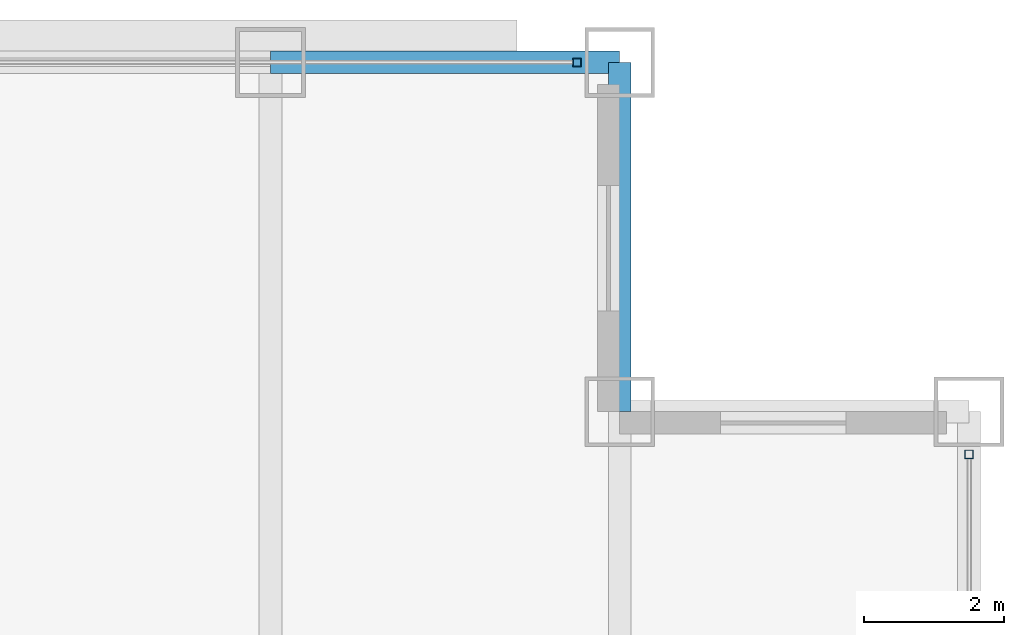
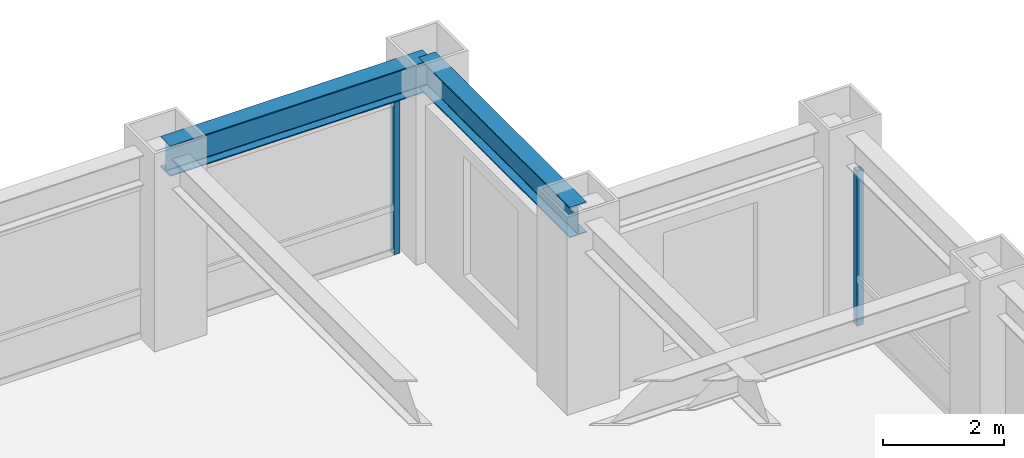
# One storey, part 18 of 29: 2 beams, 2 members, 2 elements without a shape of their own.
"""IFC4 building model written with IfcOpenShell, lengths in metres."""

from ifc_helpers import new_model, si_unit, direction, frame, origin, origin_2d, place, context, subcontext, project, spatial, hollow_rectangle, i_section, extrude, source, transform, mapped, material, material_profile, profile_set, type_object, element, aggregate, save


model = new_model("IFC4")

# Units and contexts
model_context = context("Model", 3, precision=1e-05, world=origin(), true_north=direction((0.0, 1.0)))
body_context = subcontext(model_context, "Body", "Model", "MODEL_VIEW")
ifc_project = project(units=[si_unit("LENGTHUNIT", "METRE"), si_unit("AREAUNIT", "SQUARE_METRE"), si_unit("VOLUMEUNIT", "CUBIC_METRE"), si_unit("PLANEANGLEUNIT", "RADIAN"), si_unit("MASSUNIT", "GRAM", prefix="KILO")], contexts=[model_context])

# Site, building, storey
site_placement = place(None, origin())
site = spatial("IfcSite", under=ifc_project, at=site_placement, CompositionType="ELEMENT")
building_placement = place(site_placement, origin())
building = spatial("IfcBuilding", under=site, at=building_placement, Name="Khorayat Bourse Tower", CompositionType="ELEMENT")
storey_placement = place(building_placement, frame((0.0, 0.0, 243.10009765625)))
storey = spatial("IfcBuildingStorey", under=building, at=storey_placement, Name="L57", CompositionType="ELEMENT", Elevation=243.10009765625)

# Beams
ifc_material_1 = material(Name="Steel ASTM A992 Grade 50", Category="steel")
ifc_material_profile_1 = material_profile(ifc_material_1, i_section(OverallWidth=0.324951171875, OverallDepth=0.615966796875, WebThickness=0.013916015625, FlangeThickness=0.021484375, FilletRadius=0.01611328125, at=origin_2d()), Name="W610X174")
ifc_profile_set_1 = profile_set([ifc_material_profile_1], Name="Steel ASTM A992 Grade 50")
beam_type = type_object("IfcBeamType", Name="BM-SPAN-610", PredefinedType="SPANDREL", material=ifc_profile_set_1)
shared_shape_1 = source(origin(), body_context, "Body", "SweptSolid", [
    extrude(i_section(OverallWidth=0.324951171875, OverallDepth=0.615966796875, WebThickness=0.013916015625, FlangeThickness=0.021484375, FilletRadius=0.01611328125, at=origin_2d()), origin(), (0.0, 0.0, 1.0), 5.0),
])
for number, where, z_axis, x_axis, name in (
    (1, (25.0, 25.0, 3.471923828125), (0.0, 1.0, 0.0), (-1.0, 0.0, 0.0), "L57 BM-SPAN-610 BM-L57-SPN-043"),
    (2, (20.0, 30.0, 3.471923828125), (1.0, 0.0, 0.0), (0.0, 1.0, 0.0), "L57 BM-SPAN-610 BM-L57-SPN-044"),
):
    element("IfcBeam", number, at=place(storey_placement, frame(where, z_axis=z_axis, x_axis=x_axis)), inside=storey, type_object=beam_type, Name=name, PredefinedType="SPANDREL", context=body_context, shape_type="MappedRepresentation", body=[
        mapped(shared_shape_1, transform((0.0, 0.0, 0.0), scale=1.0)),
    ])

# Curtain wall, member
ifc_material_2 = material(Name="Aluminium EN AW-6063 T6", Category="aluminium")
curtain_wall_type = type_object("IfcCurtainWallType", Name="CW-SYS-03", PredefinedType="NOTDEFINED", material=ifc_material_2)
curtain_wall_1_placement = place(storey_placement, origin())
curtain_wall_1 = element("IfcCurtainWall", 3, at=curtain_wall_1_placement, inside=storey, type_object=curtain_wall_type, Name="L57 Curtain Wall CW-L57-N1", PredefinedType="NOTDEFINED")
ifc_material_profile_2 = material_profile(ifc_material_2, hollow_rectangle(XDim=0.1201171875, YDim=0.1201171875, WallThickness=0.0048828125, at=origin_2d()), Name="ALU 120x120x5")
ifc_profile_set_2 = profile_set([ifc_material_profile_2], Name="Aluminium EN AW-6063 T6")
member_type = type_object("IfcMemberType", Name="CWM-VERT-120", PredefinedType="MULLION", material=ifc_profile_set_2)
shared_shape_2 = source(origin(), body_context, "Body", "SweptSolid", [
    extrude(hollow_rectangle(XDim=0.1201171875, YDim=0.1201171875, WallThickness=0.0048828125, at=origin_2d()), origin(), (0.0, 0.0, 1.0), 3.1298828125),
])
member_1_placement = place(storey_placement, frame((24.389892578125, 30.0, 0.0), z_axis=(0.0, 0.0, 1.0), x_axis=(0.0, 1.0, 0.0)))
member_1 = element("IfcMember", 4, at=member_1_placement, type_object=member_type, Name="CW-L57-N1 Vertical Mullion 3", PredefinedType="MULLION", context=body_context, shape_type="MappedRepresentation", body=[
    mapped(shared_shape_2, transform((0.0, 0.0, 0.0), scale=1.0)),
])
aggregate(curtain_wall_1, [member_1])

curtain_wall_2_placement = place(storey_placement, origin())
curtain_wall_2 = element("IfcCurtainWall", 5, at=curtain_wall_2_placement, inside=storey, type_object=curtain_wall_type, Name="L57 Curtain Wall CW-L57-E1", PredefinedType="NOTDEFINED")
member_2_placement = place(storey_placement, frame((30.0, 24.389892578125, 0.0), z_axis=(0.0, 0.0, 1.0), x_axis=(-1.0, 0.0, 0.0)))
member_2 = element("IfcMember", 6, at=member_2_placement, type_object=member_type, Name="CW-L57-E1 Vertical Mullion 3", PredefinedType="MULLION", context=body_context, shape_type="MappedRepresentation", body=[
    mapped(shared_shape_2, transform((0.0, 0.0, 0.0), scale=1.0)),
])
aggregate(curtain_wall_2, [member_2])

save(model, "model.ifc")
